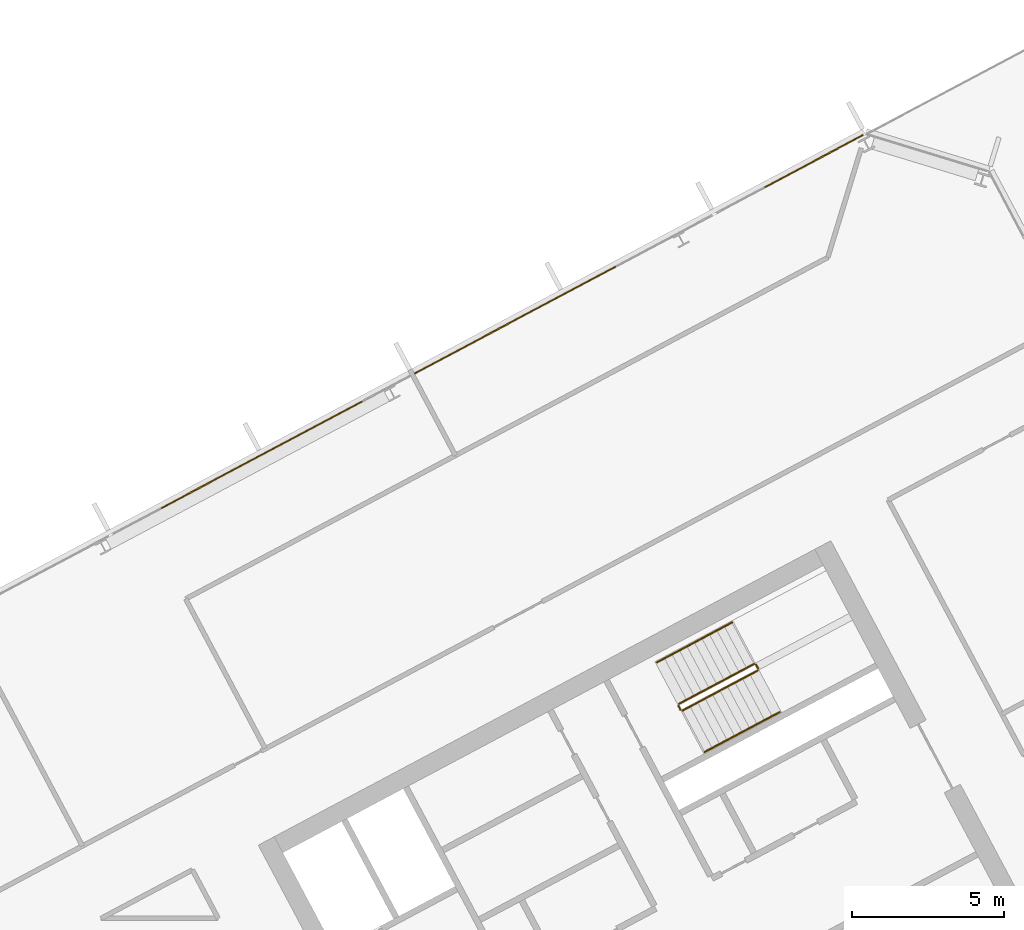
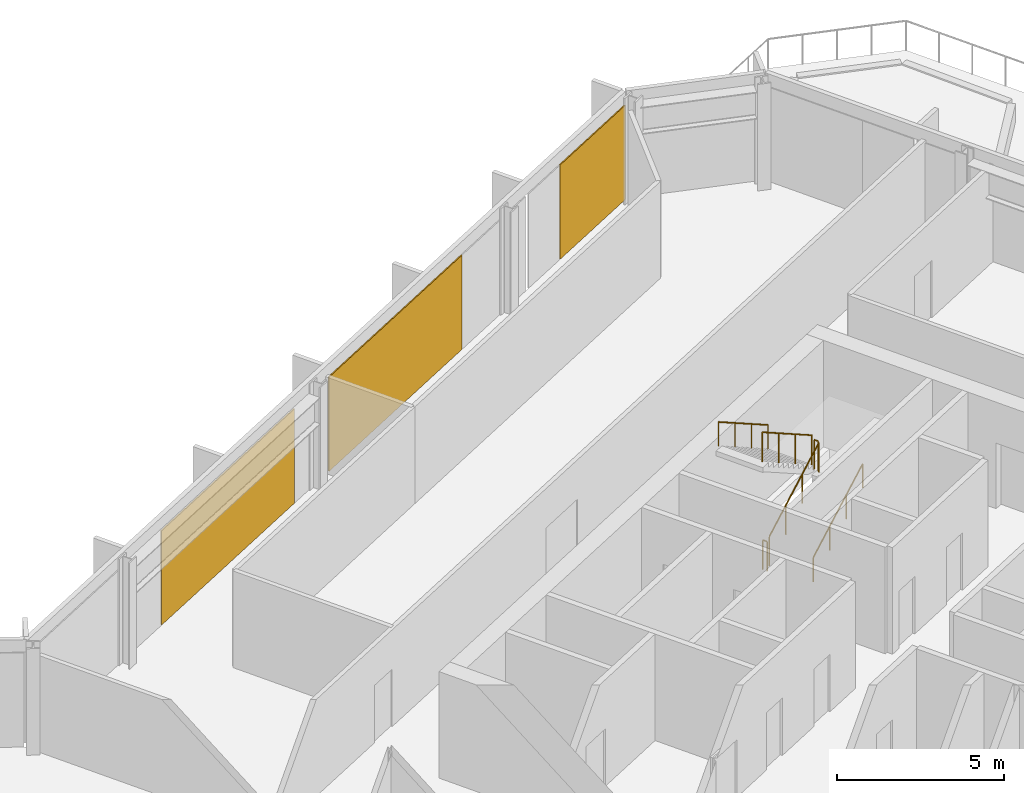
# One storey, part 29 of 31: 6 railings, 3 coverings, 1 element without a shape of its own.
"""IFC4 building model written with IfcOpenShell, lengths in metres."""

from ifc_helpers import new_model, si_unit, direction, frame, origin, origin_2d, place, context, subcontext, project, spatial, polyline, rectangle, outline, extrude, material, layer, layer_set, type_object, element, aggregate, save


model = new_model("IFC4")

# Units and contexts
model_context = context("Model", 3, precision=1e-05, world=origin(), true_north=direction((0.0, 1.0)))
body_context = subcontext(model_context, "Body", "Model", "MODEL_VIEW")
ifc_project = project(units=[si_unit("LENGTHUNIT", "METRE"), si_unit("AREAUNIT", "SQUARE_METRE"), si_unit("VOLUMEUNIT", "CUBIC_METRE"), si_unit("PLANEANGLEUNIT", "RADIAN"), si_unit("MASSUNIT", "GRAM", prefix="KILO")], contexts=[model_context])

# Site, building, storey
site_placement = place(None, origin())
site = spatial("IfcSite", under=ifc_project, at=site_placement, CompositionType="ELEMENT")
building_placement = place(site_placement, origin())
building = spatial("IfcBuilding", under=site, at=building_placement, Name="Cormorant Relay Tower", CompositionType="ELEMENT")
storey_placement = place(building_placement, frame((0.0, 0.0, 189.60009765625)))
storey = spatial("IfcBuildingStorey", under=building, at=storey_placement, Name="L40", CompositionType="ELEMENT", Elevation=189.60009765625)

# Curtain wall, coverings
ifc_material_1 = material(Name="Aluminium 6063-T6 anodised bronze", Category="aluminium")
ifc_layer_1 = layer(ifc_material_1, 0.199951171875)
ifc_layer_set_1 = layer_set([ifc_layer_1], Name="CW1 unitised bronze curtain wall with vertical fins")
curtain_wall_type = type_object("IfcCurtainWallType", Name="CW1 unitised bronze curtain wall with vertical fins", PredefinedType="NOTDEFINED", material=ifc_layer_set_1)
curtain_wall_placement = place(storey_placement, origin())
curtain_wall = element("IfcCurtainWall", 1, at=curtain_wall_placement, inside=storey, type_object=curtain_wall_type, Name="CW1 curtain wall 8", PredefinedType="NOTDEFINED")
ifc_material_2 = material(Name="Pale bronze anodised aluminium insulated panel", Category="aluminium")
ifc_layer_2 = layer(ifc_material_2, 0.0400390625)
ifc_layer_set_2 = layer_set([ifc_layer_2], Name="CW1 pale bronze insulated panel 40")
covering_type = type_object("IfcCoveringType", Name="CW1 pale bronze insulated panel 40", PredefinedType="CLADDING", material=ifc_layer_set_2)
covering_1_placement = place(storey_placement, frame((28.16943359375, 38.78466796875, 0.0), z_axis=(0.0, 0.0, 1.0), x_axis=(-0.882947592859, -0.469471562786, 0.0)))
covering_1 = element("IfcCovering", 2, at=covering_1_placement, type_object=covering_type, Name="CW1 panel S00", PredefinedType="CLADDING", context=body_context, shape_type="SweptSolid", body=[
    extrude(rectangle(XDim=3.68896484375, YDim=0.0400390625, at=origin_2d()), origin(), (0.0, 0.0, 1.0), 3.449951171875),
])
covering_2_placement = place(storey_placement, frame((18.317138671875, 33.5458984375, 0.0), z_axis=(0.0, 0.0, 1.0), x_axis=(-0.882947592859, -0.469471562786, 0.0)))
covering_2 = element("IfcCovering", 3, at=covering_2_placement, type_object=covering_type, Name="CW1 panel S03", PredefinedType="CLADDING", context=body_context, shape_type="SweptSolid", body=[
    extrude(rectangle(XDim=7.528076171875, YDim=0.0400390625, at=origin_2d()), origin(), (0.0, 0.0, 1.0), 3.449951171875),
])
covering_3_placement = place(storey_placement, frame((9.948486328125, 29.09619140625, 0.0), z_axis=(0.0, 0.0, 1.0), x_axis=(-0.882947592859, -0.469471562786, 0.0)))
covering_3 = element("IfcCovering", 4, at=covering_3_placement, type_object=covering_type, Name="CW1 panel S05", PredefinedType="CLADDING", context=body_context, shape_type="SweptSolid", body=[
    extrude(rectangle(XDim=7.528076171875, YDim=0.0400390625, at=origin_2d()), origin(), (0.0, 0.0, 1.0), 3.449951171875),
])
aggregate(curtain_wall, [covering_1, covering_2, covering_3])

# Railings
ifc_material_3 = material(Name="Steel ASTM A572 Grade 50 (Fy 345 MPa)", Category="steel")
railing_type_1 = type_object("IfcRailingType", Name="Stair guard 1100", PredefinedType="GUARDRAIL", material=ifc_material_3)
railing_1_placement = place(storey_placement, frame((23.8408203125, 20.6611328125, 0.17724609375)))
element("IfcRailing", 5, at=railing_1_placement, inside=storey, type_object=railing_type_1, Name="L40 B2 stair guard 1", PredefinedType="GUARDRAIL", context=body_context, shape_type="SweptSolid", body=[
    extrude(outline(polyline([(0.022216796875, 0.00927734375), (0.00927734375, 0.022216796875), (-0.00927734375, 0.022216796875), (-0.022216796875, 0.00927734375), (-0.022216796875, -0.00927734375), (-0.00927734375, -0.022216796875), (0.00927734375, -0.022216796875), (0.022216796875, -0.00927734375), (0.022216796875, 0.00927734375)])), frame((0.0, 0.0, 1.076171875), z_axis=(0.746033882577, 0.396627473466, 0.534901947407), x_axis=(-0.469429322983, 0.882970050864, 0.0)), (0.0, 0.0, 1.0), 3.31396484375),
    extrude(outline(polyline([(0.019287109375, 0.008056640625), (0.008056640625, 0.019287109375), (-0.008056640625, 0.019287109375), (-0.019287109375, 0.008056640625), (-0.019287109375, -0.008056640625), (-0.008056640625, -0.019287109375), (0.008056640625, -0.019287109375), (0.019287109375, -0.008056640625), (0.019287109375, 0.008056640625)])), origin(), (0.0, 0.0, 1.0), 1.052001953125),
    extrude(outline(polyline([(0.019287109375, 0.008056640625), (0.008056640625, 0.019287109375), (-0.008056640625, 0.019287109375), (-0.019287109375, 0.008056640625), (-0.019287109375, -0.008056640625), (-0.008056640625, -0.019287109375), (0.008056640625, -0.019287109375), (0.019287109375, -0.008056640625), (0.019287109375, 0.008056640625)])), frame((0.82421875, 0.438232421875, 0.5908203125)), (0.0, 0.0, 1.0), 1.052001953125),
    extrude(outline(polyline([(0.019287109375, 0.008056640625), (0.008056640625, 0.019287109375), (-0.008056640625, 0.019287109375), (-0.019287109375, 0.008056640625), (-0.019287109375, -0.008056640625), (-0.008056640625, -0.019287109375), (0.008056640625, -0.019287109375), (0.019287109375, -0.008056640625), (0.019287109375, 0.008056640625)])), frame((1.648193359375, 0.876220703125, 1.181884765625)), (0.0, 0.0, 1.0), 1.052001953125),
    extrude(outline(polyline([(0.019287109375, 0.008056640625), (0.008056640625, 0.019287109375), (-0.008056640625, 0.019287109375), (-0.019287109375, 0.008056640625), (-0.019287109375, -0.008056640625), (-0.008056640625, -0.019287109375), (0.008056640625, -0.019287109375), (0.019287109375, -0.008056640625), (0.019287109375, 0.008056640625)])), frame((2.472412109375, 1.314453125, 1.772705078125)), (0.0, 0.0, 1.0), 1.052001953125),
])
railing_2_placement = place(storey_placement, frame((26.333740234375, 22.043212890625, 1.949951171875)))
element("IfcRailing", 6, at=railing_2_placement, inside=storey, type_object=railing_type_1, Name="L40 B2 stair guard 2", PredefinedType="GUARDRAIL", context=body_context, shape_type="SweptSolid", body=[
    extrude(outline(polyline([(0.022216796875, 0.00927734375), (0.00927734375, 0.022216796875), (-0.00927734375, 0.022216796875), (-0.022216796875, 0.00927734375), (-0.022216796875, -0.00927734375), (-0.00927734375, -0.022216796875), (0.00927734375, -0.022216796875), (0.022216796875, -0.00927734375), (0.022216796875, 0.00927734375)])), frame((0.0, 0.0, 1.076171875), z_axis=(-0.469234640946, 0.883073525669, 0.0), x_axis=(-0.883073525669, -0.469234640946, 0.0)), (0.0, 0.0, 1.0), 0.14990234375),
    extrude(outline(polyline([(0.019287109375, 0.008056640625), (0.008056640625, 0.019287109375), (-0.008056640625, 0.019287109375), (-0.019287109375, 0.008056640625), (-0.019287109375, -0.008056640625), (-0.008056640625, -0.019287109375), (0.008056640625, -0.019287109375), (0.019287109375, -0.008056640625), (0.019287109375, 0.008056640625)])), origin(), (0.0, 0.0, 1.0), 1.052001953125),
    extrude(outline(polyline([(0.019287109375, 0.008056640625), (0.008056640625, 0.019287109375), (-0.008056640625, 0.019287109375), (-0.019287109375, 0.008056640625), (-0.019287109375, -0.008056640625), (-0.008056640625, -0.019287109375), (0.008056640625, -0.019287109375), (0.019287109375, -0.008056640625), (0.019287109375, 0.008056640625)])), frame((-0.0703125, 0.13232421875, 0.0)), (0.0, 0.0, 1.0), 1.052001953125),
])
railing_3_placement = place(storey_placement, frame((26.19580078125, 22.1962890625, 2.127197265625)))
element("IfcRailing", 7, at=railing_3_placement, inside=storey, type_object=railing_type_1, Name="L40 B2 stair guard 3", PredefinedType="GUARDRAIL", context=body_context, shape_type="SweptSolid", body=[
    extrude(outline(polyline([(0.022216796875, 0.00927734375), (0.00927734375, 0.022216796875), (-0.00927734375, 0.022216796875), (-0.022216796875, 0.00927734375), (-0.022216796875, -0.00927734375), (-0.00927734375, -0.022216796875), (0.00927734375, -0.022216796875), (0.022216796875, -0.00927734375), (0.022216796875, 0.00927734375)])), frame((0.0, 0.0, 1.076171875), z_axis=(-0.746033882577, -0.396627473466, 0.534901947407), x_axis=(0.469429322983, -0.882970050864, 0.0)), (0.0, 0.0, 1.0), 3.31396484375),
    extrude(outline(polyline([(0.019287109375, 0.008056640625), (0.008056640625, 0.019287109375), (-0.008056640625, 0.019287109375), (-0.019287109375, 0.008056640625), (-0.019287109375, -0.008056640625), (-0.008056640625, -0.019287109375), (0.008056640625, -0.019287109375), (0.019287109375, -0.008056640625), (0.019287109375, 0.008056640625)])), origin(), (0.0, 0.0, 1.0), 1.052001953125),
    extrude(outline(polyline([(0.019287109375, 0.008056640625), (0.008056640625, 0.019287109375), (-0.008056640625, 0.019287109375), (-0.019287109375, 0.008056640625), (-0.019287109375, -0.008056640625), (-0.008056640625, -0.019287109375), (0.008056640625, -0.019287109375), (0.019287109375, -0.008056640625), (0.019287109375, 0.008056640625)])), frame((-0.82421875, -0.438232421875, 0.5908203125)), (0.0, 0.0, 1.0), 1.052001953125),
    extrude(outline(polyline([(0.019287109375, 0.008056640625), (0.008056640625, 0.019287109375), (-0.008056640625, 0.019287109375), (-0.019287109375, 0.008056640625), (-0.019287109375, -0.008056640625), (-0.008056640625, -0.019287109375), (0.008056640625, -0.019287109375), (0.019287109375, -0.008056640625), (0.019287109375, 0.008056640625)])), frame((-1.648193359375, -0.876220703125, 1.181884765625)), (0.0, 0.0, 1.0), 1.052001953125),
    extrude(outline(polyline([(0.019287109375, 0.008056640625), (0.008056640625, 0.019287109375), (-0.008056640625, 0.019287109375), (-0.019287109375, 0.008056640625), (-0.019287109375, -0.008056640625), (-0.008056640625, -0.019287109375), (0.008056640625, -0.019287109375), (0.019287109375, -0.008056640625), (0.019287109375, 0.008056640625)])), frame((-2.472412109375, -1.314453125, 1.772705078125)), (0.0, 0.0, 1.0), 1.052001953125),
])
railing_4_placement = place(storey_placement, frame((23.773193359375, 20.681640625, 0.0)))
element("IfcRailing", 8, at=railing_4_placement, inside=storey, type_object=railing_type_1, Name="L40 B2 stair guard 4", PredefinedType="GUARDRAIL", context=body_context, shape_type="SweptSolid", body=[
    extrude(outline(polyline([(0.022216796875, 0.00927734375), (0.00927734375, 0.022216796875), (-0.00927734375, 0.022216796875), (-0.022216796875, 0.00927734375), (-0.022216796875, -0.00927734375), (-0.00927734375, -0.022216796875), (0.00927734375, -0.022216796875), (0.022216796875, -0.00927734375), (0.022216796875, 0.00927734375)])), frame((0.0, 0.0, 1.076171875), z_axis=(-0.46856034887, 0.8834314911, 0.0), x_axis=(-0.8834314911, -0.46856034887, 0.0)), (0.0, 0.0, 1.0), 0.150146484375),
    extrude(outline(polyline([(0.019287109375, 0.008056640625), (0.008056640625, 0.019287109375), (-0.008056640625, 0.019287109375), (-0.019287109375, 0.008056640625), (-0.019287109375, -0.008056640625), (-0.008056640625, -0.019287109375), (0.008056640625, -0.019287109375), (0.019287109375, -0.008056640625), (0.019287109375, 0.008056640625)])), origin(), (0.0, 0.0, 1.0), 1.052001953125),
    extrude(outline(polyline([(0.019287109375, 0.008056640625), (0.008056640625, 0.019287109375), (-0.008056640625, 0.019287109375), (-0.019287109375, 0.008056640625), (-0.019287109375, -0.008056640625), (-0.008056640625, -0.019287109375), (0.008056640625, -0.019287109375), (0.019287109375, -0.008056640625), (0.019287109375, 0.008056640625)])), frame((-0.0703125, 0.132568359375, 0.0)), (0.0, 0.0, 1.0), 1.052001953125),
])
ifc_material_4 = material(Name="Steel ASTM A572 Grade 50 (Fy 345 MPa)", Category="steel")
railing_type_2 = type_object("IfcRailingType", Name="Stair handrail 900", PredefinedType="HANDRAIL", material=ifc_material_4)
railing_5_placement = place(storey_placement, frame((24.568603515625, 19.29248046875, 0.17724609375)))
element("IfcRailing", 9, at=railing_5_placement, inside=storey, type_object=railing_type_2, Name="L40 B2 stair handrail 1", PredefinedType="HANDRAIL", context=body_context, shape_type="SweptSolid", body=[
    extrude(outline(polyline([(0.022216796875, 0.00927734375), (0.00927734375, 0.022216796875), (-0.00927734375, 0.022216796875), (-0.022216796875, 0.00927734375), (-0.022216796875, -0.00927734375), (-0.00927734375, -0.022216796875), (0.00927734375, -0.022216796875), (0.022216796875, -0.00927734375), (0.022216796875, 0.00927734375)])), frame((0.0, 0.0, 0.8759765625), z_axis=(0.746001213114, 0.396649272309, 0.534931345884), x_axis=(-0.469465464807, 0.882950835185, 0.0)), (0.0, 0.0, 1.0), 3.31396484375),
    extrude(outline(polyline([(0.019287109375, 0.008056640625), (0.008056640625, 0.019287109375), (-0.008056640625, 0.019287109375), (-0.019287109375, 0.008056640625), (-0.019287109375, -0.008056640625), (-0.008056640625, -0.019287109375), (0.008056640625, -0.019287109375), (0.019287109375, -0.008056640625), (0.019287109375, 0.008056640625)])), origin(), (0.0, 0.0, 1.0), 0.851806640625),
    extrude(outline(polyline([(0.019287109375, 0.008056640625), (0.008056640625, 0.019287109375), (-0.008056640625, 0.019287109375), (-0.019287109375, 0.008056640625), (-0.019287109375, -0.008056640625), (-0.008056640625, -0.019287109375), (0.008056640625, -0.019287109375), (0.019287109375, -0.008056640625), (0.019287109375, 0.008056640625)])), frame((0.823974609375, 0.438232421875, 0.5908203125)), (0.0, 0.0, 1.0), 0.851806640625),
    extrude(outline(polyline([(0.019287109375, 0.008056640625), (0.008056640625, 0.019287109375), (-0.008056640625, 0.019287109375), (-0.019287109375, 0.008056640625), (-0.019287109375, -0.008056640625), (-0.008056640625, -0.019287109375), (0.008056640625, -0.019287109375), (0.019287109375, -0.008056640625), (0.019287109375, 0.008056640625)])), frame((1.648193359375, 0.876220703125, 1.181884765625)), (0.0, 0.0, 1.0), 0.851806640625),
    extrude(outline(polyline([(0.019287109375, 0.008056640625), (0.008056640625, 0.019287109375), (-0.008056640625, 0.019287109375), (-0.019287109375, 0.008056640625), (-0.019287109375, -0.008056640625), (-0.008056640625, -0.019287109375), (0.008056640625, -0.019287109375), (0.019287109375, -0.008056640625), (0.019287109375, 0.008056640625)])), frame((2.47216796875, 1.314453125, 1.772705078125)), (0.0, 0.0, 1.0), 0.851806640625),
])
railing_6_placement = place(storey_placement, frame((25.468017578125, 23.56494140625, 2.127197265625)))
element("IfcRailing", 10, at=railing_6_placement, inside=storey, type_object=railing_type_2, Name="L40 B2 stair handrail 2", PredefinedType="HANDRAIL", context=body_context, shape_type="SweptSolid", body=[
    extrude(outline(polyline([(0.022216796875, 0.00927734375), (0.00927734375, 0.022216796875), (-0.00927734375, 0.022216796875), (-0.022216796875, 0.00927734375), (-0.022216796875, -0.00927734375), (-0.00927734375, -0.022216796875), (0.00927734375, -0.022216796875), (0.022216796875, -0.00927734375), (0.022216796875, 0.00927734375)])), frame((0.0, 0.0, 0.8759765625), z_axis=(-0.745979412481, -0.396711350603, 0.534915713414), x_axis=(0.469533439143, -0.882914689835, 0.0)), (0.0, 0.0, 1.0), 3.31396484375),
    extrude(outline(polyline([(0.019287109375, 0.008056640625), (0.008056640625, 0.019287109375), (-0.008056640625, 0.019287109375), (-0.019287109375, 0.008056640625), (-0.019287109375, -0.008056640625), (-0.008056640625, -0.019287109375), (0.008056640625, -0.019287109375), (0.019287109375, -0.008056640625), (0.019287109375, 0.008056640625)])), origin(), (0.0, 0.0, 1.0), 0.851806640625),
    extrude(outline(polyline([(0.019287109375, 0.008056640625), (0.008056640625, 0.019287109375), (-0.008056640625, 0.019287109375), (-0.019287109375, 0.008056640625), (-0.019287109375, -0.008056640625), (-0.008056640625, -0.019287109375), (0.008056640625, -0.019287109375), (0.019287109375, -0.008056640625), (0.019287109375, 0.008056640625)])), frame((-0.823974609375, -0.438232421875, 0.5908203125)), (0.0, 0.0, 1.0), 0.851806640625),
    extrude(outline(polyline([(0.019287109375, 0.008056640625), (0.008056640625, 0.019287109375), (-0.008056640625, 0.019287109375), (-0.019287109375, 0.008056640625), (-0.019287109375, -0.008056640625), (-0.008056640625, -0.019287109375), (0.008056640625, -0.019287109375), (0.019287109375, -0.008056640625), (0.019287109375, 0.008056640625)])), frame((-1.648193359375, -0.87646484375, 1.181884765625)), (0.0, 0.0, 1.0), 0.851806640625),
    extrude(outline(polyline([(0.019287109375, 0.008056640625), (0.008056640625, 0.019287109375), (-0.008056640625, 0.019287109375), (-0.019287109375, 0.008056640625), (-0.019287109375, -0.008056640625), (-0.008056640625, -0.019287109375), (0.008056640625, -0.019287109375), (0.019287109375, -0.008056640625), (0.019287109375, 0.008056640625)])), frame((-2.47216796875, -1.314697265625, 1.772705078125)), (0.0, 0.0, 1.0), 0.851806640625),
])

save(model, "model.ifc")
